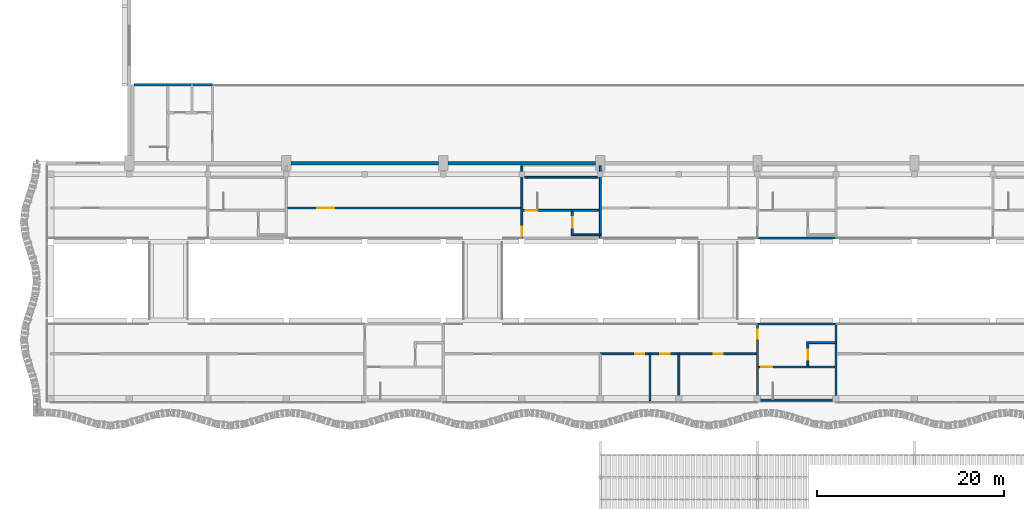
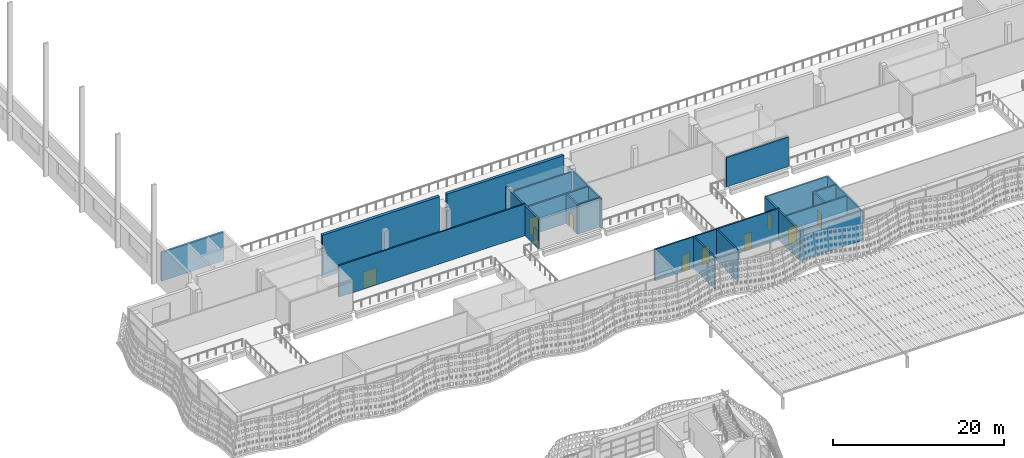
# One storey, part 82 of 162: 22 walls, 10 doors, 10 openings.
"""IFC4 building model written with IfcOpenShell, lengths in metres."""

from ifc_helpers import new_model, si_unit, direction, frame, frame_2d, origin, place, context, subcontext, project, spatial, rectangle, extrude, material, layer, layer_set, type_object, element, fill, save


model = new_model("IFC4")

# Units and contexts
model_context = context("Model", 3, precision=1e-05, world=origin(), true_north=direction((0.0, 1.0)))
body_context = subcontext(model_context, "Body", "Model", "MODEL_VIEW")
ifc_project = project(units=[si_unit("LENGTHUNIT", "METRE"), si_unit("AREAUNIT", "SQUARE_METRE"), si_unit("VOLUMEUNIT", "CUBIC_METRE"), si_unit("PLANEANGLEUNIT", "RADIAN"), si_unit("MASSUNIT", "GRAM", prefix="KILO")], contexts=[model_context])

# Site, building, storey
site_placement = place(None, origin())
site = spatial("IfcSite", under=ifc_project, at=site_placement, CompositionType="ELEMENT")
building_placement = place(site_placement, origin())
building = spatial("IfcBuilding", under=site, at=building_placement, Name="Rain Tree Exposition and Congress Centre", CompositionType="ELEMENT")
storey_placement = place(building_placement, frame((0.0, 0.0, 6.0)))
storey = spatial("IfcBuildingStorey", under=building, at=storey_placement, Name="L01", CompositionType="ELEMENT", Elevation=6.0)

# Wall
ifc_material_1 = material(Name="Hollow blockwork partition", Category="masonry")
ifc_layer_1 = layer(ifc_material_1, 0.199951171875)
ifc_layer_set_1 = layer_set([ifc_layer_1], Name="Hollow blockwork partition")
wall_type_1 = type_object("IfcWallType", Name="Concourse blockwork partition 200", PredefinedType="PARTITIONING", material=ifc_layer_set_1)
wall_1_placement = place(storey_placement, frame((67.199951171875, 75.39990234375, 0.0), z_axis=(0.0, 0.0, 1.0), x_axis=(0.0, 1.0, 0.0)))
element("IfcWall", 1, at=wall_1_placement, inside=storey, type_object=wall_type_1, Name="Concourse partition L01", PredefinedType="PARTITIONING", context=body_context, shape_type="SweptSolid", body=[
    extrude(rectangle(XDim=5.0, YDim=0.199951171875, at=frame_2d((2.5, 0.0))), origin(), (0.0, 0.0, 1.0), 4.5),
])

# Wall, openings, doors
wall_2_placement = place(storey_placement, frame((58.800048828125, 80.39990234375, 0.0), z_axis=(0.0, 0.0, 1.0), x_axis=(1.0, 0.0, 0.0)))
wall_2 = element("IfcWall", 2, at=wall_2_placement, inside=storey, type_object=wall_type_1, Name="Concourse room front L01", PredefinedType="PARTITIONING", context=body_context, shape_type="SweptSolid", body=[
    extrude(rectangle(XDim=8.39990234375, YDim=0.199951171875, at=frame_2d((4.199951171875, 0.0))), origin(), (0.0, 0.0, 1.0), 4.5),
])
opening_1_placement = place(wall_2_placement, frame((3.699951171875, 0.0, 0.0)))
opening_1 = element("IfcOpeningElement", 3, at=opening_1_placement, cuts=wall_2, Name="Opening DC047", PredefinedType="OPENING", context=body_context, shape_type="SweptSolid", body=[
    extrude(rectangle(XDim=1.0, YDim=2.39990234375, at=frame_2d((0.5, 1.199951171875))), frame((0.0, 0.10009765625, 0.0), z_axis=(0.0, -1.0, 0.0), x_axis=(1.0, 0.0, 0.0)), (0.0, 0.0, 1.0), 0.199951171875),
])
opening_2_placement = place(wall_2_placement, frame((6.39990234375, 0.0, 0.0)))
opening_2 = element("IfcOpeningElement", 4, at=opening_2_placement, cuts=wall_2, Name="Opening DC048", PredefinedType="OPENING", context=body_context, shape_type="SweptSolid", body=[
    extrude(rectangle(XDim=1.0, YDim=2.39990234375, at=frame_2d((0.5, 1.199951171875))), frame((0.0, 0.10009765625, 0.0), z_axis=(0.0, -1.0, 0.0), x_axis=(1.0, 0.0, 0.0)), (0.0, 0.0, 1.0), 0.199951171875),
])
ifc_material_2 = material(Name="Aluminium framed glazed door", Category="aluminium")
door_type_1 = type_object("IfcDoorType", Name="Concourse single door 1000x2400", OperationType="NOTDEFINED", PredefinedType="DOOR", material=ifc_material_2)
door_1_placement = place(opening_1_placement, origin())
door_1 = element("IfcDoor", 5, at=door_1_placement, inside=storey, type_object=door_type_1, Name="Room door DC047", OperationType="SINGLE_SWING_RIGHT", OverallHeight=2.39990234375, OverallWidth=1.0, PredefinedType="DOOR", context=body_context, shape_type="SweptSolid", body=[
    extrude(rectangle(XDim=1.0, YDim=2.39990234375, at=frame_2d((0.5, 1.199951171875))), frame((0.0, 0.02490234375, 0.0), z_axis=(0.0, -1.0, 0.0), x_axis=(1.0, 0.0, 0.0)), (0.0, 0.0, 1.0), 0.050048828125),
])
fill(opening_1, door_1)
door_2_placement = place(opening_2_placement, origin())
door_2 = element("IfcDoor", 6, at=door_2_placement, inside=storey, type_object=door_type_1, Name="Accessible WC door DC048", OperationType="SINGLE_SWING_LEFT", OverallHeight=2.39990234375, OverallWidth=1.0, PredefinedType="DOOR", context=body_context, shape_type="SweptSolid", body=[
    extrude(rectangle(XDim=1.0, YDim=2.39990234375, at=frame_2d((0.5, 1.199951171875))), frame((0.0, 0.02490234375, 0.0), z_axis=(0.0, -1.0, 0.0), x_axis=(1.0, 0.0, 0.0)), (0.0, 0.0, 1.0), 0.050048828125),
])
fill(opening_2, door_2)

# Wall
wall_3_placement = place(storey_placement, frame((64.10009765625, 75.39990234375, 0.0), z_axis=(0.0, 0.0, 1.0), x_axis=(0.0, 1.0, 0.0)))
element("IfcWall", 7, at=wall_3_placement, inside=storey, type_object=wall_type_1, Name="Accessible WC partition", PredefinedType="PARTITIONING", context=body_context, shape_type="SweptSolid", body=[
    extrude(rectangle(XDim=5.0, YDim=0.199951171875, at=frame_2d((2.5, 0.0))), origin(), (0.0, 0.0, 1.0), 4.5),
])

# Wall, opening, door
wall_4_placement = place(storey_placement, frame((67.199951171875, 80.39990234375, 0.0), z_axis=(0.0, 0.0, 1.0), x_axis=(1.0, 0.0, 0.0)))
wall_4 = element("IfcWall", 8, at=wall_4_placement, inside=storey, type_object=wall_type_1, Name="Concourse room front L01", PredefinedType="PARTITIONING", context=body_context, shape_type="SweptSolid", body=[
    extrude(rectangle(XDim=8.400146484375, YDim=0.199951171875, at=frame_2d((4.2001953125, 0.0))), origin(), (0.0, 0.0, 1.0), 4.5),
])
opening_3_placement = place(wall_4_placement, frame((3.699951171875, 0.0, 0.0)))
opening_3 = element("IfcOpeningElement", 9, at=opening_3_placement, cuts=wall_4, Name="Opening DC049", PredefinedType="OPENING", context=body_context, shape_type="SweptSolid", body=[
    extrude(rectangle(XDim=1.0, YDim=2.39990234375, at=frame_2d((0.5, 1.199951171875))), frame((0.0, 0.10009765625, 0.0), z_axis=(0.0, -1.0, 0.0), x_axis=(1.0, 0.0, 0.0)), (0.0, 0.0, 1.0), 0.199951171875),
])
door_3_placement = place(opening_3_placement, origin())
door_3 = element("IfcDoor", 10, at=door_3_placement, inside=storey, type_object=door_type_1, Name="Room door DC049", OperationType="SINGLE_SWING_RIGHT", OverallHeight=2.39990234375, OverallWidth=1.0, PredefinedType="DOOR", context=body_context, shape_type="SweptSolid", body=[
    extrude(rectangle(XDim=1.0, YDim=2.39990234375, at=frame_2d((0.5, 1.199951171875))), frame((0.0, 0.02490234375, 0.0), z_axis=(0.0, -1.0, 0.0), x_axis=(1.0, 0.0, 0.0)), (0.0, 0.0, 1.0), 0.050048828125),
])
fill(opening_3, door_3)

wall_5_placement = place(storey_placement, frame((25.199951171875, 96.0, 0.0), z_axis=(0.0, 0.0, 1.0), x_axis=(1.0, 0.0, 0.0)))
wall_5 = element("IfcWall", 11, at=wall_5_placement, inside=storey, type_object=wall_type_1, Name="Concourse room front L01", PredefinedType="PARTITIONING", context=body_context, shape_type="SweptSolid", body=[
    extrude(rectangle(XDim=25.199951171875, YDim=0.199951171875, at=frame_2d((12.60009765625, 0.0))), origin(), (0.0, 0.0, 1.0), 4.5),
])
opening_4_placement = place(wall_5_placement, frame((3.300048828125, 0.0, 0.0)))
opening_4 = element("IfcOpeningElement", 12, at=opening_4_placement, cuts=wall_5, Name="Opening DC082", PredefinedType="OPENING", context=body_context, shape_type="SweptSolid", body=[
    extrude(rectangle(XDim=1.800048828125, YDim=2.39990234375, at=frame_2d((0.89990234375, 1.199951171875))), frame((0.0, 0.10009765625, 0.0), z_axis=(0.0, -1.0, 0.0), x_axis=(1.0, 0.0, 0.0)), (0.0, 0.0, 1.0), 0.199951171875),
])
ifc_material_3 = material(Name="Aluminium framed glazed door", Category="aluminium")
door_type_2 = type_object("IfcDoorType", Name="Concourse double door 1800x2400", OperationType="DOUBLE_DOOR_DOUBLE_SWING", PredefinedType="DOOR", material=ifc_material_3)
door_4_placement = place(opening_4_placement, origin())
door_4 = element("IfcDoor", 13, at=door_4_placement, inside=storey, type_object=door_type_2, Name="Room door DC082", OperationType="DOUBLE_DOOR_DOUBLE_SWING", OverallHeight=2.39990234375, OverallWidth=1.800048828125, PredefinedType="DOOR", context=body_context, shape_type="SweptSolid", body=[
    extrude(rectangle(XDim=1.800048828125, YDim=2.39990234375, at=frame_2d((0.89990234375, 1.199951171875))), frame((0.0, 0.02490234375, 0.0), z_axis=(0.0, -1.0, 0.0), x_axis=(1.0, 0.0, 0.0)), (0.0, 0.0, 1.0), 0.050048828125),
])
fill(opening_4, door_4)

ifc_material_4 = material(Name="Concrete C40/50", Category="concrete")
ifc_layer_2 = layer(ifc_material_4, 0.199951171875)
ifc_layer_set_2 = layer_set([ifc_layer_2], Name="Concrete C40/50")
wall_type_2 = type_object("IfcWallType", Name="Concourse shaft and core wall 200", PredefinedType="SOLIDWALL", material=ifc_layer_set_2)
wall_6_placement = place(storey_placement, frame((75.60009765625, 75.39990234375, 0.0), z_axis=(0.0, 0.0, 1.0), x_axis=(0.0, 1.0, 0.0)))
wall_6 = element("IfcWall", 14, at=wall_6_placement, inside=storey, type_object=wall_type_2, Name="Concourse core wall L01", PredefinedType="SOLIDWALL", context=body_context, shape_type="SweptSolid", body=[
    extrude(rectangle(XDim=8.2001953125, YDim=0.199951171875, at=frame_2d((4.10009765625, 0.0))), origin(), (0.0, 0.0, 1.0), 4.199951171875),
])
opening_5_placement = place(wall_6_placement, frame((6.60009765625, 0.0, 0.0)))
opening_5 = element("IfcOpeningElement", 15, at=opening_5_placement, cuts=wall_6, Name="Opening DC039", PredefinedType="OPENING", context=body_context, shape_type="SweptSolid", body=[
    extrude(rectangle(XDim=1.0, YDim=2.39990234375, at=frame_2d((0.5, 1.199951171875))), frame((0.0, 0.10009765625, 0.0), z_axis=(0.0, -1.0, 0.0), x_axis=(1.0, 0.0, 0.0)), (0.0, 0.0, 1.0), 0.199951171875),
])
door_5_placement = place(opening_5_placement, origin())
door_5 = element("IfcDoor", 16, at=door_5_placement, inside=storey, type_object=door_type_1, Name="Stair lobby door DC039", OperationType="SINGLE_SWING_RIGHT", OverallHeight=2.39990234375, OverallWidth=1.0, PredefinedType="DOOR", context=body_context, shape_type="SweptSolid", body=[
    extrude(rectangle(XDim=1.0, YDim=2.39990234375, at=frame_2d((0.5, 1.199951171875))), frame((0.0, 0.02490234375, 0.0), z_axis=(0.0, -1.0, 0.0), x_axis=(1.0, 0.0, 0.0)), (0.0, 0.0, 1.0), 0.050048828125),
])
fill(opening_5, door_5)

# Walls
wall_7_placement = place(storey_placement, frame((84.0, 75.39990234375, 0.0), z_axis=(0.0, 0.0, 1.0), x_axis=(0.0, 1.0, 0.0)))
element("IfcWall", 17, at=wall_7_placement, inside=storey, type_object=wall_type_2, Name="Concourse core wall L01", PredefinedType="SOLIDWALL", context=body_context, shape_type="SweptSolid", body=[
    extrude(rectangle(XDim=8.2001953125, YDim=0.199951171875, at=frame_2d((4.10009765625, 0.0))), origin(), (0.0, 0.0, 1.0), 4.199951171875),
])
wall_8_placement = place(storey_placement, frame((75.60009765625, 83.60009765625, 0.0), z_axis=(0.0, 0.0, 1.0), x_axis=(1.0, 0.0, 0.0)))
element("IfcWall", 18, at=wall_8_placement, inside=storey, type_object=wall_type_2, Name="Concourse lobby front L01", PredefinedType="SOLIDWALL", context=body_context, shape_type="SweptSolid", body=[
    extrude(rectangle(XDim=8.39990234375, YDim=0.199951171875, at=frame_2d((4.199951171875, 0.0))), origin(), (0.0, 0.0, 1.0), 4.199951171875),
])

# Wall, opening, door
wall_9_placement = place(storey_placement, frame((50.39990234375, 100.5, 0.0), z_axis=(0.0, 0.0, 1.0), x_axis=(0.0, -1.0, 0.0)))
wall_9 = element("IfcWall", 19, at=wall_9_placement, inside=storey, type_object=wall_type_2, Name="Concourse core wall L01", PredefinedType="SOLIDWALL", context=body_context, shape_type="SweptSolid", body=[
    extrude(rectangle(XDim=7.699951171875, YDim=0.199951171875, at=frame_2d((3.85009765625, 0.0))), origin(), (0.0, 0.0, 1.0), 4.199951171875),
])
opening_6_placement = place(wall_9_placement, frame((6.5, 0.0, 0.0)))
opening_6 = element("IfcOpeningElement", 20, at=opening_6_placement, cuts=wall_9, Name="Opening DC076", PredefinedType="OPENING", context=body_context, shape_type="SweptSolid", body=[
    extrude(rectangle(XDim=1.0, YDim=2.39990234375, at=frame_2d((0.5, 1.199951171875))), frame((0.0, 0.10009765625, 0.0), z_axis=(0.0, -1.0, 0.0), x_axis=(1.0, 0.0, 0.0)), (0.0, 0.0, 1.0), 0.199951171875),
])
door_6_placement = place(opening_6_placement, origin())
door_6 = element("IfcDoor", 21, at=door_6_placement, inside=storey, type_object=door_type_1, Name="Stair lobby door DC076", OperationType="SINGLE_SWING_RIGHT", OverallHeight=2.39990234375, OverallWidth=1.0, PredefinedType="DOOR", context=body_context, shape_type="SweptSolid", body=[
    extrude(rectangle(XDim=1.0, YDim=2.39990234375, at=frame_2d((0.5, 1.199951171875))), frame((0.0, 0.02490234375, 0.0), z_axis=(0.0, -1.0, 0.0), x_axis=(1.0, 0.0, 0.0)), (0.0, 0.0, 1.0), 0.050048828125),
])
fill(opening_6, door_6)

# Walls
wall_10_placement = place(storey_placement, frame((58.800048828125, 100.5, 0.0), z_axis=(0.0, 0.0, 1.0), x_axis=(0.0, -1.0, 0.0)))
element("IfcWall", 22, at=wall_10_placement, inside=storey, type_object=wall_type_2, Name="Concourse core wall L01", PredefinedType="SOLIDWALL", context=body_context, shape_type="SweptSolid", body=[
    extrude(rectangle(XDim=7.699951171875, YDim=0.199951171875, at=frame_2d((3.85009765625, 0.0))), origin(), (0.0, 0.0, 1.0), 4.199951171875),
])
for number, where, z_axis, x_axis, name in (
    (23, (75.60009765625, 92.800048828125, 0.0), (0.0, 0.0, 1.0), (1.0, 0.0, 0.0), "Concourse lobby front L01"),
    (24, (75.60009765625, 75.449951171875, 0.0), (0.0, 0.0, 1.0), (1.0, 0.0, 0.0), "Concourse stair wall L01"),
):
    element("IfcWall", number, at=place(storey_placement, frame(where, z_axis=z_axis, x_axis=x_axis)), inside=storey, type_object=wall_type_2, Name=name, PredefinedType="SOLIDWALL", context=body_context, shape_type="SweptSolid", body=[
        extrude(rectangle(XDim=8.39990234375, YDim=0.199951171875, at=frame_2d((4.199951171875, 0.0))), origin(), (0.0, 0.0, 1.0), 4.199951171875),
    ])

# Wall, opening, door
wall_11_placement = place(storey_placement, frame((75.60009765625, 79.0, 0.0), z_axis=(0.0, 0.0, 1.0), x_axis=(1.0, 0.0, 0.0)))
wall_11 = element("IfcWall", 25, at=wall_11_placement, inside=storey, type_object=wall_type_2, Name="Concourse stair wall L01", PredefinedType="SOLIDWALL", context=body_context, shape_type="SweptSolid", body=[
    extrude(rectangle(XDim=8.39990234375, YDim=0.199951171875, at=frame_2d((4.199951171875, 0.0))), origin(), (0.0, 0.0, 1.0), 4.199951171875),
])
opening_7_placement = place(wall_11_placement, frame((0.39990234375, 0.0, 0.0)))
opening_7 = element("IfcOpeningElement", 26, at=opening_7_placement, cuts=wall_11, Name="Opening DC099", PredefinedType="OPENING", context=body_context, shape_type="SweptSolid", body=[
    extrude(rectangle(XDim=1.199951171875, YDim=2.39990234375, at=frame_2d((0.60009765625, 1.199951171875))), frame((0.0, 0.10009765625, 0.0), z_axis=(0.0, -1.0, 0.0), x_axis=(1.0, 0.0, 0.0)), (0.0, 0.0, 1.0), 0.199951171875),
])
ifc_material_5 = material(Name="Aluminium framed glazed door", Category="aluminium")
door_type_3 = type_object("IfcDoorType", Name="Concourse single door 1200x2400", OperationType="NOTDEFINED", PredefinedType="DOOR", material=ifc_material_5)
door_7_placement = place(opening_7_placement, origin())
door_7 = element("IfcDoor", 27, at=door_7_placement, inside=storey, type_object=door_type_3, Name="Stair door DC099", OperationType="SINGLE_SWING_LEFT", OverallHeight=2.39990234375, OverallWidth=1.199951171875, PredefinedType="DOOR", context=body_context, shape_type="SweptSolid", body=[
    extrude(rectangle(XDim=1.199951171875, YDim=2.39990234375, at=frame_2d((0.60009765625, 1.199951171875))), frame((0.0, 0.02490234375, 0.0), z_axis=(0.0, -1.0, 0.0), x_axis=(1.0, 0.0, 0.0)), (0.0, 0.0, 1.0), 0.050048828125),
])
fill(opening_7, door_7)

wall_12_placement = place(storey_placement, frame((81.0, 79.10009765625, 0.0), z_axis=(0.0, 0.0, 1.0), x_axis=(0.0, 1.0, 0.0)))
wall_12 = element("IfcWall", 28, at=wall_12_placement, inside=storey, type_object=wall_type_2, Name="Concourse lift shaft wall L01", PredefinedType="SOLIDWALL", context=body_context, shape_type="SweptSolid", body=[
    extrude(rectangle(XDim=2.599853515625, YDim=0.199951171875, at=frame_2d((1.2998046875, 0.0))), origin(), (0.0, 0.0, 1.0), 4.199951171875),
])
opening_8_placement = place(wall_12_placement, frame((0.64990234375, 0.0, 0.0)))
opening_8 = element("IfcOpeningElement", 29, at=opening_8_placement, cuts=wall_12, Name="Opening DC101", PredefinedType="OPENING", context=body_context, shape_type="SweptSolid", body=[
    extrude(rectangle(XDim=1.10009765625, YDim=2.10009765625, at=frame_2d((0.550048828125, 1.050048828125))), frame((0.0, 0.10009765625, 0.0), z_axis=(0.0, -1.0, 0.0), x_axis=(1.0, 0.0, 0.0)), (0.0, 0.0, 1.0), 0.199951171875),
])
ifc_material_6 = material(Name="Stainless steel", Category="steel")
door_type_4 = type_object("IfcDoorType", Name="Lift landing door 1100x2100", OperationType="DOUBLE_DOOR_SLIDING", PredefinedType="DOOR", material=ifc_material_6)
door_8_placement = place(opening_8_placement, origin())
door_8 = element("IfcDoor", 30, at=door_8_placement, inside=storey, type_object=door_type_4, Name="Lift landing door DC101", OperationType="DOUBLE_DOOR_SLIDING", OverallHeight=2.10009765625, OverallWidth=1.10009765625, PredefinedType="DOOR", context=body_context, shape_type="SweptSolid", body=[
    extrude(rectangle(XDim=1.10009765625, YDim=2.10009765625, at=frame_2d((0.550048828125, 1.050048828125))), frame((0.0, 0.02490234375, 0.0), z_axis=(0.0, -1.0, 0.0), x_axis=(1.0, 0.0, 0.0)), (0.0, 0.0, 1.0), 0.050048828125),
])
fill(opening_8, door_8)

# Walls
wall_13_placement = place(storey_placement, frame((80.89990234375, 81.60009765625, 0.0), z_axis=(0.0, 0.0, 1.0), x_axis=(1.0, 0.0, 0.0)))
element("IfcWall", 31, at=wall_13_placement, inside=storey, type_object=wall_type_2, Name="Concourse lift shaft wall L01", PredefinedType="SOLIDWALL", context=body_context, shape_type="SweptSolid", body=[
    extrude(rectangle(XDim=3.10009765625, YDim=0.199951171875, at=frame_2d((1.550048828125, 0.0))), origin(), (0.0, 0.0, 1.0), 4.199951171875),
])
wall_14_placement = place(storey_placement, frame((50.699951171875, 99.300048828125, 0.0), z_axis=(0.0, 0.0, 1.0), x_axis=(1.0, 0.0, 0.0)))
element("IfcWall", 32, at=wall_14_placement, inside=storey, type_object=wall_type_2, Name="Concourse stair wall L01", PredefinedType="SOLIDWALL", context=body_context, shape_type="SweptSolid", body=[
    extrude(rectangle(XDim=7.800048828125, YDim=0.199951171875, at=frame_2d((3.89990234375, 0.0))), origin(), (0.0, 0.0, 1.0), 4.199951171875),
])

# Wall, opening, door
wall_15_placement = place(storey_placement, frame((50.39990234375, 95.75, 0.0), z_axis=(0.0, 0.0, 1.0), x_axis=(1.0, 0.0, 0.0)))
wall_15 = element("IfcWall", 33, at=wall_15_placement, inside=storey, type_object=wall_type_2, Name="Concourse stair wall L01", PredefinedType="SOLIDWALL", context=body_context, shape_type="SweptSolid", body=[
    extrude(rectangle(XDim=8.400146484375, YDim=0.199951171875, at=frame_2d((4.2001953125, 0.0))), origin(), (0.0, 0.0, 1.0), 4.199951171875),
])
opening_9_placement = place(wall_15_placement, frame((0.39990234375, 0.0, 0.0)))
opening_9 = element("IfcOpeningElement", 34, at=opening_9_placement, cuts=wall_15, Name="Opening DC127", PredefinedType="OPENING", context=body_context, shape_type="SweptSolid", body=[
    extrude(rectangle(XDim=1.199951171875, YDim=2.39990234375, at=frame_2d((0.60009765625, 1.199951171875))), frame((0.0, 0.10009765625, 0.0), z_axis=(0.0, -1.0, 0.0), x_axis=(1.0, 0.0, 0.0)), (0.0, 0.0, 1.0), 0.199951171875),
])
door_9_placement = place(opening_9_placement, origin())
door_9 = element("IfcDoor", 35, at=door_9_placement, inside=storey, type_object=door_type_3, Name="Stair door DC127", OperationType="SINGLE_SWING_LEFT", OverallHeight=2.39990234375, OverallWidth=1.199951171875, PredefinedType="DOOR", context=body_context, shape_type="SweptSolid", body=[
    extrude(rectangle(XDim=1.199951171875, YDim=2.39990234375, at=frame_2d((0.60009765625, 1.199951171875))), frame((0.0, 0.02490234375, 0.0), z_axis=(0.0, -1.0, 0.0), x_axis=(1.0, 0.0, 0.0)), (0.0, 0.0, 1.0), 0.050048828125),
])
fill(opening_9, door_9)

wall_16_placement = place(storey_placement, frame((55.800048828125, 93.050048828125, 0.0), z_axis=(0.0, 0.0, 1.0), x_axis=(0.0, 1.0, 0.0)))
wall_16 = element("IfcWall", 36, at=wall_16_placement, inside=storey, type_object=wall_type_2, Name="Concourse lift shaft wall L01", PredefinedType="SOLIDWALL", context=body_context, shape_type="SweptSolid", body=[
    extrude(rectangle(XDim=2.599853515625, YDim=0.199951171875, at=frame_2d((1.2998046875, 0.0))), origin(), (0.0, 0.0, 1.0), 4.199951171875),
])
opening_10_placement = place(wall_16_placement, frame((0.85009765625, 0.0, 0.0)))
opening_10 = element("IfcOpeningElement", 37, at=opening_10_placement, cuts=wall_16, Name="Opening DC129", PredefinedType="OPENING", context=body_context, shape_type="SweptSolid", body=[
    extrude(rectangle(XDim=1.10009765625, YDim=2.10009765625, at=frame_2d((0.550048828125, 1.050048828125))), frame((0.0, 0.10009765625, 0.0), z_axis=(0.0, -1.0, 0.0), x_axis=(1.0, 0.0, 0.0)), (0.0, 0.0, 1.0), 0.199951171875),
])
door_10_placement = place(opening_10_placement, origin())
door_10 = element("IfcDoor", 38, at=door_10_placement, inside=storey, type_object=door_type_4, Name="Lift landing door DC129", OperationType="DOUBLE_DOOR_SLIDING", OverallHeight=2.10009765625, OverallWidth=1.10009765625, PredefinedType="DOOR", context=body_context, shape_type="SweptSolid", body=[
    extrude(rectangle(XDim=1.10009765625, YDim=2.10009765625, at=frame_2d((0.550048828125, 1.050048828125))), frame((0.0, 0.02490234375, 0.0), z_axis=(0.0, -1.0, 0.0), x_axis=(1.0, 0.0, 0.0)), (0.0, 0.0, 1.0), 0.050048828125),
])
fill(opening_10, door_10)

# Walls
wall_17_placement = place(storey_placement, frame((55.699951171875, 93.14990234375, 0.0), z_axis=(0.0, 0.0, 1.0), x_axis=(1.0, 0.0, 0.0)))
element("IfcWall", 39, at=wall_17_placement, inside=storey, type_object=wall_type_2, Name="Concourse lift shaft wall L01", PredefinedType="SOLIDWALL", context=body_context, shape_type="SweptSolid", body=[
    extrude(rectangle(XDim=3.10009765625, YDim=0.199951171875, at=frame_2d((1.550048828125, 0.0))), origin(), (0.0, 0.0, 1.0), 4.199951171875),
])
ifc_material_7 = material(Name="Concrete C40/50", Category="concrete")
ifc_layer_3 = layer(ifc_material_7, 0.25)
ifc_layer_set_3 = layer_set([ifc_layer_3], Name="Concrete C40/50")
wall_type_3 = type_object("IfcWallType", Name="Core wall 250", PredefinedType="SHEAR", material=ifc_layer_set_3)
wall_18_placement = place(storey_placement, frame((8.89990234375, 109.199951171875, 0.0), z_axis=(0.0, 0.0, 1.0), x_axis=(1.0, 0.0, 0.0)))
element("IfcWall", 40, at=wall_18_placement, inside=storey, type_object=wall_type_3, Name="Core north wall 1", PredefinedType="SHEAR", context=body_context, shape_type="SweptSolid", body=[
    extrude(rectangle(XDim=8.400146484375, YDim=0.25, at=frame_2d((4.2001953125, 0.0))), origin(), (0.0, 0.0, 1.0), 4.10009765625),
])
ifc_material_8 = material(Name="Precast concrete C50/60", Category="concrete")
ifc_layer_4 = layer(ifc_material_8, 0.39990234375)
ifc_layer_set_4 = layer_set([ifc_layer_4], Name="Precast concrete C50/60")
wall_type_4 = type_object("IfcWallType", Name="Hall precast wall 400", PredefinedType="STANDARD", material=ifc_layer_set_4)
for number, where, z_axis, x_axis, name in (
    (41, (25.699951171875, 100.800048828125, -0.300048828125), (0.0, 0.0, 1.0), (1.0, 0.0, 0.0), "Cladding wall S2"),
    (42, (42.5, 100.800048828125, -0.300048828125), (0.0, 0.0, 1.0), (1.0, 0.0, 0.0), "Cladding wall S3"),
):
    element("IfcWall", number, at=place(storey_placement, frame(where, z_axis=z_axis, x_axis=x_axis)), inside=storey, type_object=wall_type_4, Name=name, PredefinedType="STANDARD", context=body_context, shape_type="SweptSolid", body=[
        extrude(rectangle(XDim=15.800048828125, YDim=0.39990234375, at=frame_2d((7.89990234375, 0.0))), origin(), (0.0, 0.0, 1.0), 6.10009765625),
    ])

save(model, "model.ifc")
